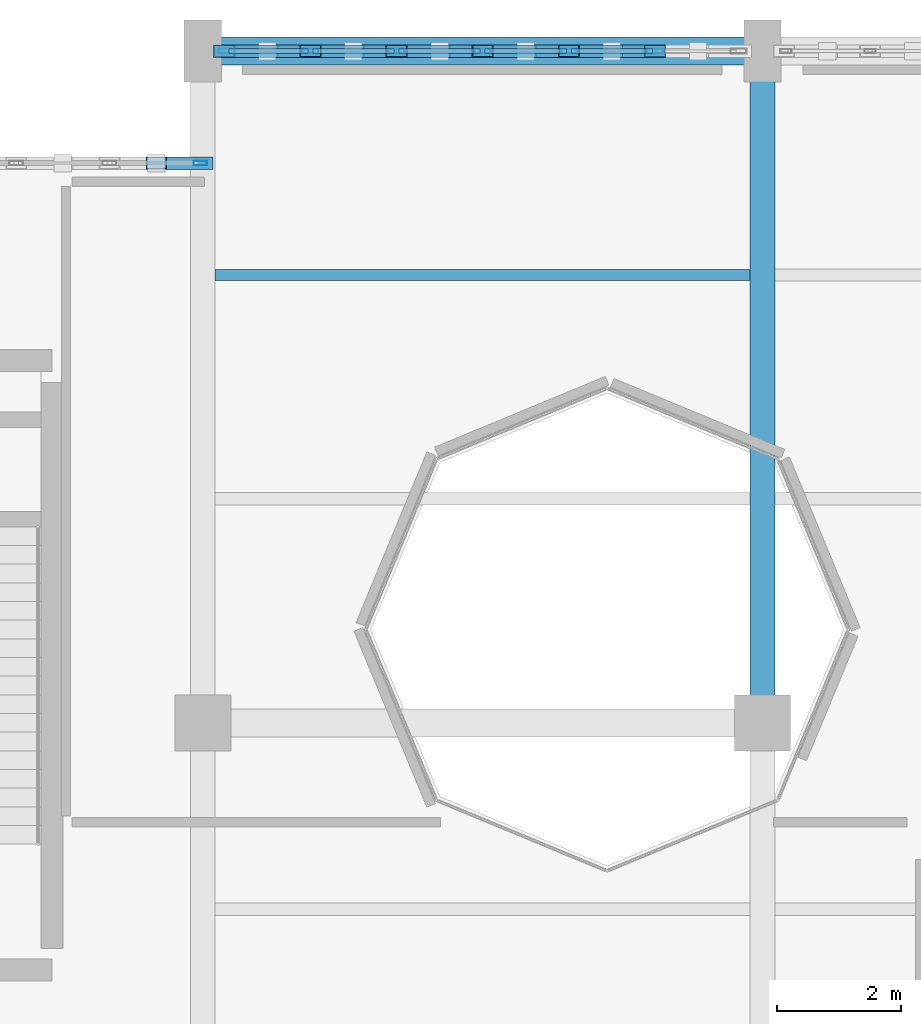
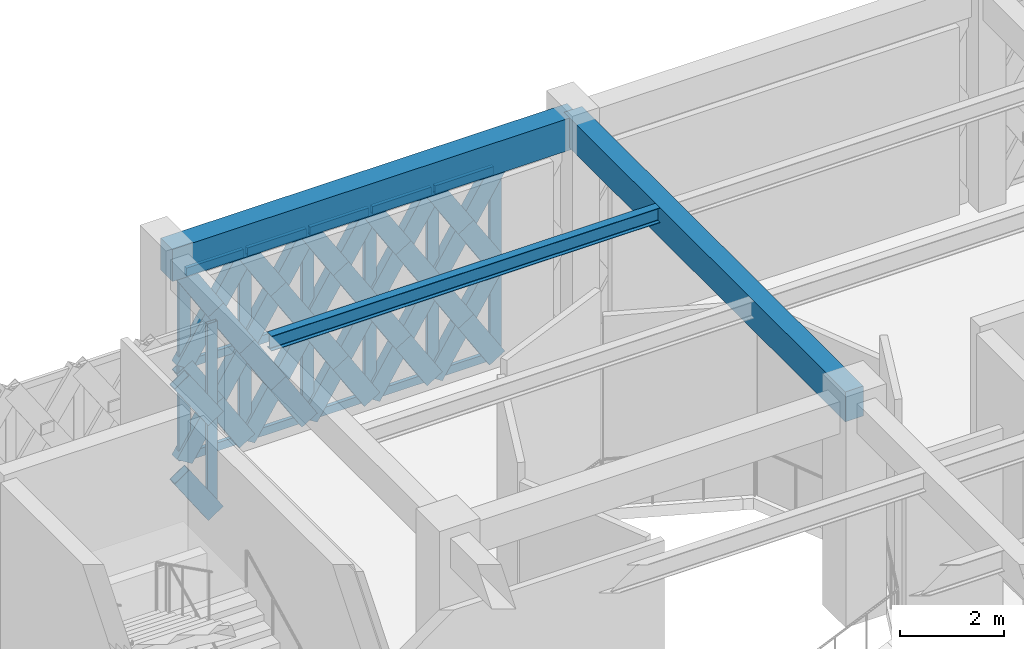
# One storey, part 86 of 155: 54 members, 3 beams, 2 elements without a shape of their own.
"""IFC4 building model written with IfcOpenShell, lengths in metres."""

from ifc_helpers import new_model, si_unit, direction, frame, origin, origin_2d, place, context, subcontext, project, spatial, rectangle, hollow_rectangle, i_section, extrude, material, material_profile, profile_set, type_object, element, aggregate, save


model = new_model("IFC4")

# Units and contexts
model_context = context("Model", 3, precision=1e-05, world=origin(), true_north=direction((0.0, 1.0)))
body_context = subcontext(model_context, "Body", "Model", "MODEL_VIEW")
ifc_project = project(units=[si_unit("LENGTHUNIT", "METRE"), si_unit("AREAUNIT", "SQUARE_METRE"), si_unit("VOLUMEUNIT", "CUBIC_METRE"), si_unit("PLANEANGLEUNIT", "RADIAN"), si_unit("MASSUNIT", "GRAM", prefix="KILO")], contexts=[model_context])

# Site, building, storey
site_placement = place(None, origin())
site = spatial("IfcSite", under=ifc_project, at=site_placement, CompositionType="ELEMENT")
building_placement = place(site_placement, origin())
building = spatial("IfcBuilding", under=site, at=building_placement, Name="Haizhuo Lancet Aquarium", CompositionType="ELEMENT")
storey_placement = place(building_placement, frame((0.0, 0.0, 10.800048828125)))
storey = spatial("IfcBuildingStorey", under=building, at=storey_placement, Name="L02", CompositionType="ELEMENT", Elevation=10.800048828125)

# Beams
ifc_material_1 = material(Name="Concrete C40/50", Category="concrete")
ifc_material_profile_1 = material_profile(ifc_material_1, rectangle(XDim=0.39990234375, YDim=0.699951171875, at=origin_2d()), Name="RC-BM 400x700")
ifc_profile_set_1 = profile_set([ifc_material_profile_1], Name="Concrete C40/50")
beam_type_1 = type_object("IfcBeamType", Name="BM-RC-400x700", PredefinedType="BEAM", material=ifc_profile_set_1)
beam_1_placement = place(storey_placement, frame((-9.0, 45.0, 4.81005859375), z_axis=(0.0, 1.0, 0.0), x_axis=(-1.0, 0.0, 0.0)))
element("IfcBeam", 1, at=beam_1_placement, inside=storey, type_object=beam_type_1, Name="L02 V5 primary girder BM-L02-V5-014", PredefinedType="BEAM", context=body_context, shape_type="SweptSolid", body=[
    extrude(rectangle(XDim=0.39990234375, YDim=0.699951171875, at=origin_2d()), origin(), (0.0, 0.0, 1.0), 10.800048828125),
])
ifc_material_profile_2 = material_profile(ifc_material_1, rectangle(XDim=0.449951171875, YDim=0.75, at=origin_2d()), Name="RC-BM 450x750")
ifc_profile_set_2 = profile_set([ifc_material_profile_2], Name="Concrete C40/50")
beam_type_2 = type_object("IfcBeamType", Name="BM-RC-450x750", PredefinedType="BEAM", material=ifc_profile_set_2)
beam_2_placement = place(storey_placement, frame((-18.0, 55.800048828125, 4.784912109375), z_axis=(1.0, 0.0, 0.0), x_axis=(0.0, 1.0, 0.0)))
element("IfcBeam", 2, at=beam_2_placement, inside=storey, type_object=beam_type_2, Name="L02 V5 primary girder BM-L02-V5-009", PredefinedType="BEAM", context=body_context, shape_type="SweptSolid", body=[
    extrude(rectangle(XDim=0.449951171875, YDim=0.75, at=origin_2d()), origin(), (0.0, 0.0, 1.0), 9.0),
])

# Curtain wall, member
ifc_material_2 = material(Name="Aluminium 6063-T6", Category="aluminium")
curtain_wall_type_1 = type_object("IfcCurtainWallType", Name="CWD-9000x4440", PredefinedType="NOTDEFINED", material=ifc_material_2)
curtain_wall_1_placement = place(storey_placement, origin())
curtain_wall_1 = element("IfcCurtainWall", 3, at=curtain_wall_1_placement, inside=storey, type_object=curtain_wall_type_1, Name="L02 curtain wall CW-V5-L02-146", PredefinedType="NOTDEFINED")
ifc_material_profile_3 = material_profile(ifc_material_2, hollow_rectangle(XDim=0.074951171875, YDim=0.219970703125, WallThickness=0.0048828125, at=origin_2d()), Name="ALU-M 75x220x5")
ifc_profile_set_3 = profile_set([ifc_material_profile_3], Name="Aluminium 6063-T6")
member_type_1 = type_object("IfcMemberType", Name="CW-MUL-2", PredefinedType="MULLION", material=ifc_profile_set_3)
member_1_placement = place(storey_placement, frame((-18.0380859375, 54.0, 0.0), z_axis=(0.0, 0.0, 1.0), x_axis=(0.0, 1.0, 0.0)))
member_1 = element("IfcMember", 4, at=member_1_placement, type_object=member_type_1, Name="CWD-90x44 mullion 7", PredefinedType="MULLION", context=body_context, shape_type="SweptSolid", body=[
    extrude(hollow_rectangle(XDim=0.074951171875, YDim=0.219970703125, WallThickness=0.0048828125, at=origin_2d()), origin(), (0.0, 0.0, 1.0), 4.445068359375),
])
aggregate(curtain_wall_1, [member_1])

# Curtain wall, members
curtain_wall_type_2 = type_object("IfcCurtainWallType", Name="CWD-8310x4410", PredefinedType="NOTDEFINED", material=ifc_material_2)
curtain_wall_2_placement = place(storey_placement, origin())
curtain_wall_2 = element("IfcCurtainWall", 5, at=curtain_wall_2_placement, inside=storey, type_object=curtain_wall_type_2, Name="L02 curtain wall CW-V5-L02-147", PredefinedType="NOTDEFINED")
ifc_material_profile_4 = material_profile(ifc_material_2, hollow_rectangle(XDim=0.080078125, YDim=0.260009765625, WallThickness=0.0048828125, at=origin_2d()), Name="ALU-M 80x260x5")
ifc_profile_set_4 = profile_set([ifc_material_profile_4], Name="Aluminium 6063-T6")
member_type_2 = type_object("IfcMemberType", Name="CW-MUL-3", PredefinedType="MULLION", material=ifc_profile_set_4)
member_2_placement = place(storey_placement, frame((-17.614990234375, 55.800048828125, 0.0), z_axis=(0.0, 0.0, 1.0), x_axis=(0.0, 1.0, 0.0)))
member_2 = element("IfcMember", 6, at=member_2_placement, type_object=member_type_2, Name="CWD-83x44 mullion 1", PredefinedType="MULLION", context=body_context, shape_type="SweptSolid", body=[
    extrude(hollow_rectangle(XDim=0.080078125, YDim=0.260009765625, WallThickness=0.0048828125, at=origin_2d()), origin(), (0.0, 0.0, 1.0), 4.409912109375),
])
member_3_placement = place(storey_placement, frame((-16.27001953125, 55.800048828125, 0.0), z_axis=(0.0, 0.0, 1.0), x_axis=(0.0, 1.0, 0.0)))
member_3 = element("IfcMember", 7, at=member_3_placement, type_object=member_type_2, Name="CWD-83x44 mullion 2", PredefinedType="MULLION", context=body_context, shape_type="SweptSolid", body=[
    extrude(hollow_rectangle(XDim=0.080078125, YDim=0.260009765625, WallThickness=0.0048828125, at=origin_2d()), origin(), (0.0, 0.0, 1.0), 4.409912109375),
])
member_4_placement = place(storey_placement, frame((-14.885009765625, 55.800048828125, 0.0), z_axis=(0.0, 0.0, 1.0), x_axis=(0.0, 1.0, 0.0)))
member_4 = element("IfcMember", 8, at=member_4_placement, type_object=member_type_2, Name="CWD-83x44 mullion 3", PredefinedType="MULLION", context=body_context, shape_type="SweptSolid", body=[
    extrude(hollow_rectangle(XDim=0.080078125, YDim=0.260009765625, WallThickness=0.0048828125, at=origin_2d()), origin(), (0.0, 0.0, 1.0), 4.409912109375),
])
member_5_placement = place(storey_placement, frame((-13.5, 55.800048828125, 0.0), z_axis=(0.0, 0.0, 1.0), x_axis=(0.0, 1.0, 0.0)))
member_5 = element("IfcMember", 9, at=member_5_placement, type_object=member_type_2, Name="CWD-83x44 mullion 4", PredefinedType="MULLION", context=body_context, shape_type="SweptSolid", body=[
    extrude(hollow_rectangle(XDim=0.080078125, YDim=0.260009765625, WallThickness=0.0048828125, at=origin_2d()), origin(), (0.0, 0.0, 1.0), 4.409912109375),
])
member_6_placement = place(storey_placement, frame((-12.114990234375, 55.800048828125, 0.0), z_axis=(0.0, 0.0, 1.0), x_axis=(0.0, 1.0, 0.0)))
member_6 = element("IfcMember", 10, at=member_6_placement, type_object=member_type_2, Name="CWD-83x44 mullion 5", PredefinedType="MULLION", context=body_context, shape_type="SweptSolid", body=[
    extrude(hollow_rectangle(XDim=0.080078125, YDim=0.260009765625, WallThickness=0.0048828125, at=origin_2d()), origin(), (0.0, 0.0, 1.0), 4.409912109375),
])
member_7_placement = place(storey_placement, frame((-10.72998046875, 55.800048828125, 0.0), z_axis=(0.0, 0.0, 1.0), x_axis=(0.0, 1.0, 0.0)))
member_7 = element("IfcMember", 11, at=member_7_placement, type_object=member_type_2, Name="CWD-83x44 mullion 6", PredefinedType="MULLION", context=body_context, shape_type="SweptSolid", body=[
    extrude(hollow_rectangle(XDim=0.080078125, YDim=0.260009765625, WallThickness=0.0048828125, at=origin_2d()), origin(), (0.0, 0.0, 1.0), 4.409912109375),
])
ifc_material_profile_5 = material_profile(ifc_material_2, hollow_rectangle(XDim=0.080078125, YDim=0.18994140625, WallThickness=0.0048828125, at=origin_2d()), Name="ALU-T 80x190x5")
ifc_profile_set_5 = profile_set([ifc_material_profile_5], Name="Aluminium 6063-T6")
member_type_3 = type_object("IfcMemberType", Name="CW-TRN-3", PredefinedType="NOTDEFINED", material=ifc_profile_set_5)
member_8_placement = place(storey_placement, frame((-17.574951171875, 55.800048828125, 0.0400390625), z_axis=(1.0, 0.0, 0.0), x_axis=(0.0, 1.0, 0.0)))
member_8 = element("IfcMember", 12, at=member_8_placement, type_object=member_type_3, Name="CWD-83x44 transom 1.1", ObjectType="TRANSOM", PredefinedType="USERDEFINED", context=body_context, shape_type="SweptSolid", body=[
    extrude(hollow_rectangle(XDim=0.080078125, YDim=0.18994140625, WallThickness=0.0048828125, at=origin_2d()), origin(), (0.0, 0.0, 1.0), 1.264892578125),
])
member_9_placement = place(storey_placement, frame((-17.574951171875, 55.800048828125, 2.204833984375), z_axis=(1.0, 0.0, 0.0), x_axis=(0.0, 1.0, 0.0)))
member_9 = element("IfcMember", 13, at=member_9_placement, type_object=member_type_3, Name="CWD-83x44 transom 1.2", ObjectType="TRANSOM", PredefinedType="USERDEFINED", context=body_context, shape_type="SweptSolid", body=[
    extrude(hollow_rectangle(XDim=0.080078125, YDim=0.18994140625, WallThickness=0.0048828125, at=origin_2d()), origin(), (0.0, 0.0, 1.0), 1.264892578125),
])
member_10_placement = place(storey_placement, frame((-17.574951171875, 55.800048828125, 4.369873046875), z_axis=(1.0, 0.0, 0.0), x_axis=(0.0, 1.0, 0.0)))
member_10 = element("IfcMember", 14, at=member_10_placement, type_object=member_type_3, Name="CWD-83x44 transom 1.3", ObjectType="TRANSOM", PredefinedType="USERDEFINED", context=body_context, shape_type="SweptSolid", body=[
    extrude(hollow_rectangle(XDim=0.080078125, YDim=0.18994140625, WallThickness=0.0048828125, at=origin_2d()), origin(), (0.0, 0.0, 1.0), 1.264892578125),
])
member_11_placement = place(storey_placement, frame((-16.22998046875, 55.800048828125, 0.0400390625), z_axis=(1.0, 0.0, 0.0), x_axis=(0.0, 1.0, 0.0)))
member_11 = element("IfcMember", 15, at=member_11_placement, type_object=member_type_3, Name="CWD-83x44 transom 2.1", ObjectType="TRANSOM", PredefinedType="USERDEFINED", context=body_context, shape_type="SweptSolid", body=[
    extrude(hollow_rectangle(XDim=0.080078125, YDim=0.18994140625, WallThickness=0.0048828125, at=origin_2d()), origin(), (0.0, 0.0, 1.0), 1.304931640625),
])
member_12_placement = place(storey_placement, frame((-16.22998046875, 55.800048828125, 2.204833984375), z_axis=(1.0, 0.0, 0.0), x_axis=(0.0, 1.0, 0.0)))
member_12 = element("IfcMember", 16, at=member_12_placement, type_object=member_type_3, Name="CWD-83x44 transom 2.2", ObjectType="TRANSOM", PredefinedType="USERDEFINED", context=body_context, shape_type="SweptSolid", body=[
    extrude(hollow_rectangle(XDim=0.080078125, YDim=0.18994140625, WallThickness=0.0048828125, at=origin_2d()), origin(), (0.0, 0.0, 1.0), 1.304931640625),
])
member_13_placement = place(storey_placement, frame((-16.22998046875, 55.800048828125, 4.369873046875), z_axis=(1.0, 0.0, 0.0), x_axis=(0.0, 1.0, 0.0)))
member_13 = element("IfcMember", 17, at=member_13_placement, type_object=member_type_3, Name="CWD-83x44 transom 2.3", ObjectType="TRANSOM", PredefinedType="USERDEFINED", context=body_context, shape_type="SweptSolid", body=[
    extrude(hollow_rectangle(XDim=0.080078125, YDim=0.18994140625, WallThickness=0.0048828125, at=origin_2d()), origin(), (0.0, 0.0, 1.0), 1.304931640625),
])
member_14_placement = place(storey_placement, frame((-14.844970703125, 55.800048828125, 0.0400390625), z_axis=(1.0, 0.0, 0.0), x_axis=(0.0, 1.0, 0.0)))
member_14 = element("IfcMember", 18, at=member_14_placement, type_object=member_type_3, Name="CWD-83x44 transom 3.1", ObjectType="TRANSOM", PredefinedType="USERDEFINED", context=body_context, shape_type="SweptSolid", body=[
    extrude(hollow_rectangle(XDim=0.080078125, YDim=0.18994140625, WallThickness=0.0048828125, at=origin_2d()), origin(), (0.0, 0.0, 1.0), 1.304931640625),
])
member_15_placement = place(storey_placement, frame((-14.844970703125, 55.800048828125, 2.204833984375), z_axis=(1.0, 0.0, 0.0), x_axis=(0.0, 1.0, 0.0)))
member_15 = element("IfcMember", 19, at=member_15_placement, type_object=member_type_3, Name="CWD-83x44 transom 3.2", ObjectType="TRANSOM", PredefinedType="USERDEFINED", context=body_context, shape_type="SweptSolid", body=[
    extrude(hollow_rectangle(XDim=0.080078125, YDim=0.18994140625, WallThickness=0.0048828125, at=origin_2d()), origin(), (0.0, 0.0, 1.0), 1.304931640625),
])
member_16_placement = place(storey_placement, frame((-14.844970703125, 55.800048828125, 4.369873046875), z_axis=(1.0, 0.0, 0.0), x_axis=(0.0, 1.0, 0.0)))
member_16 = element("IfcMember", 20, at=member_16_placement, type_object=member_type_3, Name="CWD-83x44 transom 3.3", ObjectType="TRANSOM", PredefinedType="USERDEFINED", context=body_context, shape_type="SweptSolid", body=[
    extrude(hollow_rectangle(XDim=0.080078125, YDim=0.18994140625, WallThickness=0.0048828125, at=origin_2d()), origin(), (0.0, 0.0, 1.0), 1.304931640625),
])
member_17_placement = place(storey_placement, frame((-13.4599609375, 55.800048828125, 0.0400390625), z_axis=(1.0, 0.0, 0.0), x_axis=(0.0, 1.0, 0.0)))
member_17 = element("IfcMember", 21, at=member_17_placement, type_object=member_type_3, Name="CWD-83x44 transom 4.1", ObjectType="TRANSOM", PredefinedType="USERDEFINED", context=body_context, shape_type="SweptSolid", body=[
    extrude(hollow_rectangle(XDim=0.080078125, YDim=0.18994140625, WallThickness=0.0048828125, at=origin_2d()), origin(), (0.0, 0.0, 1.0), 1.304931640625),
])
member_18_placement = place(storey_placement, frame((-13.4599609375, 55.800048828125, 2.204833984375), z_axis=(1.0, 0.0, 0.0), x_axis=(0.0, 1.0, 0.0)))
member_18 = element("IfcMember", 22, at=member_18_placement, type_object=member_type_3, Name="CWD-83x44 transom 4.2", ObjectType="TRANSOM", PredefinedType="USERDEFINED", context=body_context, shape_type="SweptSolid", body=[
    extrude(hollow_rectangle(XDim=0.080078125, YDim=0.18994140625, WallThickness=0.0048828125, at=origin_2d()), origin(), (0.0, 0.0, 1.0), 1.304931640625),
])
member_19_placement = place(storey_placement, frame((-13.4599609375, 55.800048828125, 4.369873046875), z_axis=(1.0, 0.0, 0.0), x_axis=(0.0, 1.0, 0.0)))
member_19 = element("IfcMember", 23, at=member_19_placement, type_object=member_type_3, Name="CWD-83x44 transom 4.3", ObjectType="TRANSOM", PredefinedType="USERDEFINED", context=body_context, shape_type="SweptSolid", body=[
    extrude(hollow_rectangle(XDim=0.080078125, YDim=0.18994140625, WallThickness=0.0048828125, at=origin_2d()), origin(), (0.0, 0.0, 1.0), 1.304931640625),
])
member_20_placement = place(storey_placement, frame((-12.074951171875, 55.800048828125, 0.0400390625), z_axis=(1.0, 0.0, 0.0), x_axis=(0.0, 1.0, 0.0)))
member_20 = element("IfcMember", 24, at=member_20_placement, type_object=member_type_3, Name="CWD-83x44 transom 5.1", ObjectType="TRANSOM", PredefinedType="USERDEFINED", context=body_context, shape_type="SweptSolid", body=[
    extrude(hollow_rectangle(XDim=0.080078125, YDim=0.18994140625, WallThickness=0.0048828125, at=origin_2d()), origin(), (0.0, 0.0, 1.0), 1.304931640625),
])
member_21_placement = place(storey_placement, frame((-12.074951171875, 55.800048828125, 2.204833984375), z_axis=(1.0, 0.0, 0.0), x_axis=(0.0, 1.0, 0.0)))
member_21 = element("IfcMember", 25, at=member_21_placement, type_object=member_type_3, Name="CWD-83x44 transom 5.2", ObjectType="TRANSOM", PredefinedType="USERDEFINED", context=body_context, shape_type="SweptSolid", body=[
    extrude(hollow_rectangle(XDim=0.080078125, YDim=0.18994140625, WallThickness=0.0048828125, at=origin_2d()), origin(), (0.0, 0.0, 1.0), 1.304931640625),
])
member_22_placement = place(storey_placement, frame((-12.074951171875, 55.800048828125, 4.369873046875), z_axis=(1.0, 0.0, 0.0), x_axis=(0.0, 1.0, 0.0)))
member_22 = element("IfcMember", 26, at=member_22_placement, type_object=member_type_3, Name="CWD-83x44 transom 5.3", ObjectType="TRANSOM", PredefinedType="USERDEFINED", context=body_context, shape_type="SweptSolid", body=[
    extrude(hollow_rectangle(XDim=0.080078125, YDim=0.18994140625, WallThickness=0.0048828125, at=origin_2d()), origin(), (0.0, 0.0, 1.0), 1.304931640625),
])
aggregate(curtain_wall_2, [member_2, member_3, member_4, member_5, member_6, member_7, member_8, member_9, member_10, member_11, member_12, member_13, member_14, member_15, member_16, member_17, member_18, member_19, member_20, member_21, member_22])

# Beam
ifc_material_3 = material(Name="Steel S355", Category="steel")
ifc_material_profile_6 = material_profile(ifc_material_3, i_section(OverallWidth=0.175048828125, OverallDepth=0.35009765625, WebThickness=0.007080078125, FlangeThickness=0.010986328125, FilletRadius=0.013916015625, at=origin_2d()), Name="HN 350x175x7x11")
ifc_profile_set_6 = profile_set([ifc_material_profile_6], Name="Steel S355")
beam_type_3 = type_object("IfcBeamType", Name="JST-ST-HN350", PredefinedType="JOIST", material=ifc_profile_set_6)
beam_3_placement = place(storey_placement, frame((-17.800048828125, 52.199951171875, 4.98486328125), z_axis=(1.0, 0.0, 0.0), x_axis=(0.0, 1.0, 0.0)))
element("IfcBeam", 27, at=beam_3_placement, inside=storey, type_object=beam_type_3, Name="L02 V5 secondary floor joist 5", PredefinedType="JOIST", context=body_context, shape_type="SweptSolid", body=[
    extrude(i_section(OverallWidth=0.175048828125, OverallDepth=0.35009765625, WebThickness=0.007080078125, FlangeThickness=0.010986328125, FilletRadius=0.013916015625, at=origin_2d()), origin(), (0.0, 0.0, 1.0), 8.60009765625),
])

# Members
ifc_material_profile_7 = material_profile(ifc_material_3, hollow_rectangle(XDim=0.199951171875, YDim=0.39990234375, WallThickness=0.011962890625, at=origin_2d()), Name="RHS 200x400x12")
ifc_profile_set_7 = profile_set([ifc_material_profile_7], Name="Steel S355")
member_type_4 = type_object("IfcMemberType", Name="MEM-LB-RHS200x400", PredefinedType="BRACE", material=ifc_profile_set_7)
member_23_placement = place(storey_placement, frame((-18.0, 54.0, 0.0), z_axis=(-0.559144577779, 0.0, 0.829070166596), x_axis=(0.0, -1.0, 0.0)))
element("IfcMember", 28, at=member_23_placement, inside=storey, type_object=member_type_4, Name="Gothic lancet split diagonal brace CW-V5-L02-146 11B1", PredefinedType="BRACE", context=body_context, shape_type="SweptSolid", body=[
    extrude(hollow_rectangle(XDim=0.199951171875, YDim=0.39990234375, WallThickness=0.011962890625, at=origin_2d()), origin(), (0.0, 0.0, 1.0), 1.34130859375),
])
member_24_placement = place(storey_placement, frame((-18.0, 54.0, 2.222900390625), z_axis=(-0.559482238724, 0.0, 0.828842339985), x_axis=(0.0, -1.0, 0.0)))
element("IfcMember", 29, at=member_24_placement, inside=storey, type_object=member_type_4, Name="Gothic lancet split diagonal brace CW-V5-L02-146 12B1", PredefinedType="BRACE", context=body_context, shape_type="SweptSolid", body=[
    extrude(hollow_rectangle(XDim=0.199951171875, YDim=0.39990234375, WallThickness=0.011962890625, at=origin_2d()), origin(), (0.0, 0.0, 1.0), 1.340576171875),
])
member_25_placement = place(storey_placement, frame((-17.655029296875, 55.800048828125, 0.0), z_axis=(0.531927646905, 0.0, 0.84678980772), x_axis=(0.0, 1.0, 0.0)))
element("IfcMember", 30, at=member_25_placement, inside=storey, type_object=member_type_4, Name="Gothic lancet continuous diagonal brace CW-V5-L02-147 1A", PredefinedType="BRACE", context=body_context, shape_type="SweptSolid", body=[
    extrude(hollow_rectangle(XDim=0.199951171875, YDim=0.39990234375, WallThickness=0.011962890625, at=origin_2d()), origin(), (0.0, 0.0, 1.0), 2.603759765625),
])
member_26_placement = place(storey_placement, frame((-16.27001953125, 55.800048828125, 0.0), z_axis=(-0.531718060511, 0.0, 0.846921427363), x_axis=(0.0, -1.0, 0.0)))
element("IfcMember", 31, at=member_26_placement, inside=storey, type_object=member_type_4, Name="Gothic lancet split diagonal brace CW-V5-L02-147 1B1", PredefinedType="BRACE", context=body_context, shape_type="SweptSolid", body=[
    extrude(hollow_rectangle(XDim=0.199951171875, YDim=0.39990234375, WallThickness=0.011962890625, at=origin_2d()), origin(), (0.0, 0.0, 1.0), 1.30126953125),
])
member_27_placement = place(storey_placement, frame((-16.9619140625, 55.800048828125, 1.10205078125), z_axis=(-0.532136996486, 0.0, 0.846658264574), x_axis=(0.0, -1.0, 0.0)))
element("IfcMember", 32, at=member_27_placement, inside=storey, type_object=member_type_4, Name="Gothic lancet split diagonal brace CW-V5-L02-147 1B2", PredefinedType="BRACE", context=body_context, shape_type="SweptSolid", body=[
    extrude(hollow_rectangle(XDim=0.199951171875, YDim=0.39990234375, WallThickness=0.011962890625, at=origin_2d()), origin(), (0.0, 0.0, 1.0), 1.302490234375),
])
member_28_placement = place(storey_placement, frame((-17.655029296875, 55.800048828125, 2.204833984375), z_axis=(0.531885415037, 0.0, 0.846816335028), x_axis=(0.0, 1.0, 0.0)))
element("IfcMember", 33, at=member_28_placement, inside=storey, type_object=member_type_4, Name="Gothic lancet continuous diagonal brace CW-V5-L02-147 2A", PredefinedType="BRACE", context=body_context, shape_type="SweptSolid", body=[
    extrude(hollow_rectangle(XDim=0.199951171875, YDim=0.39990234375, WallThickness=0.011962890625, at=origin_2d()), origin(), (0.0, 0.0, 1.0), 2.60400390625),
])
for number, where, z_axis, x_axis, name in (
    (34, (-16.27001953125, 55.800048828125, 2.204833984375), (-0.531380272315, 0.0, 0.847133405193), (0.0, -1.0, 0.0), "Gothic lancet split diagonal brace CW-V5-L02-147 2B1"),
    (35, (-16.9619140625, 55.800048828125, 3.307861328125), (-0.532390437474, 0.0, 0.84649892031), (0.0, -1.0, 0.0), "Gothic lancet split diagonal brace CW-V5-L02-147 2B2"),
):
    element("IfcMember", number, at=place(storey_placement, frame(where, z_axis=z_axis, x_axis=x_axis)), inside=storey, type_object=member_type_4, Name=name, PredefinedType="BRACE", context=body_context, shape_type="SweptSolid", body=[
        extrude(hollow_rectangle(XDim=0.199951171875, YDim=0.39990234375, WallThickness=0.011962890625, at=origin_2d()), origin(), (0.0, 0.0, 1.0), 1.302001953125),
    ])
member_29_placement = place(storey_placement, frame((-16.27001953125, 55.800048828125, 0.0), z_axis=(0.531927646905, 0.0, 0.84678980772), x_axis=(0.0, 1.0, 0.0)))
element("IfcMember", 36, at=member_29_placement, inside=storey, type_object=member_type_4, Name="Gothic lancet continuous diagonal brace CW-V5-L02-147 3A", PredefinedType="BRACE", context=body_context, shape_type="SweptSolid", body=[
    extrude(hollow_rectangle(XDim=0.199951171875, YDim=0.39990234375, WallThickness=0.011962890625, at=origin_2d()), origin(), (0.0, 0.0, 1.0), 2.603759765625),
])
member_30_placement = place(storey_placement, frame((-14.885009765625, 55.800048828125, 0.0), z_axis=(-0.532256042599, 0.0, 0.846583430689), x_axis=(0.0, -1.0, 0.0)))
element("IfcMember", 37, at=member_30_placement, inside=storey, type_object=member_type_4, Name="Gothic lancet split diagonal brace CW-V5-L02-147 3B1", PredefinedType="BRACE", context=body_context, shape_type="SweptSolid", body=[
    extrude(hollow_rectangle(XDim=0.199951171875, YDim=0.39990234375, WallThickness=0.011962890625, at=origin_2d()), origin(), (0.0, 0.0, 1.0), 1.3017578125),
])
member_31_placement = place(storey_placement, frame((-15.577880859375, 55.800048828125, 1.10205078125), z_axis=(-0.531599229377, 0.0, 0.846996020844), x_axis=(0.0, -1.0, 0.0)))
element("IfcMember", 38, at=member_31_placement, inside=storey, type_object=member_type_4, Name="Gothic lancet split diagonal brace CW-V5-L02-147 3B2", PredefinedType="BRACE", context=body_context, shape_type="SweptSolid", body=[
    extrude(hollow_rectangle(XDim=0.199951171875, YDim=0.39990234375, WallThickness=0.011962890625, at=origin_2d()), origin(), (0.0, 0.0, 1.0), 1.302001953125),
])
member_32_placement = place(storey_placement, frame((-16.27001953125, 55.800048828125, 2.204833984375), z_axis=(0.531885415037, 0.0, 0.846816335028), x_axis=(0.0, 1.0, 0.0)))
element("IfcMember", 39, at=member_32_placement, inside=storey, type_object=member_type_4, Name="Gothic lancet continuous diagonal brace CW-V5-L02-147 4A", PredefinedType="BRACE", context=body_context, shape_type="SweptSolid", body=[
    extrude(hollow_rectangle(XDim=0.199951171875, YDim=0.39990234375, WallThickness=0.011962890625, at=origin_2d()), origin(), (0.0, 0.0, 1.0), 2.60400390625),
])
member_33_placement = place(storey_placement, frame((-14.885009765625, 55.800048828125, 2.204833984375), z_axis=(-0.531918182213, 0.0, 0.846795753078), x_axis=(0.0, -1.0, 0.0)))
element("IfcMember", 40, at=member_33_placement, inside=storey, type_object=member_type_4, Name="Gothic lancet split diagonal brace CW-V5-L02-147 4B1", PredefinedType="BRACE", context=body_context, shape_type="SweptSolid", body=[
    extrude(hollow_rectangle(XDim=0.199951171875, YDim=0.39990234375, WallThickness=0.011962890625, at=origin_2d()), origin(), (0.0, 0.0, 1.0), 1.302490234375),
])
member_34_placement = place(storey_placement, frame((-15.577880859375, 55.800048828125, 3.307861328125), z_axis=(-0.531852616433, 0.0, 0.846836934949), x_axis=(0.0, -1.0, 0.0)))
element("IfcMember", 41, at=member_34_placement, inside=storey, type_object=member_type_4, Name="Gothic lancet split diagonal brace CW-V5-L02-147 4B2", PredefinedType="BRACE", context=body_context, shape_type="SweptSolid", body=[
    extrude(hollow_rectangle(XDim=0.199951171875, YDim=0.39990234375, WallThickness=0.011962890625, at=origin_2d()), origin(), (0.0, 0.0, 1.0), 1.30126953125),
])
member_35_placement = place(storey_placement, frame((-14.885009765625, 55.800048828125, 0.0), z_axis=(0.531927646905, 0.0, 0.84678980772), x_axis=(0.0, 1.0, 0.0)))
element("IfcMember", 42, at=member_35_placement, inside=storey, type_object=member_type_4, Name="Gothic lancet continuous diagonal brace CW-V5-L02-147 5A", PredefinedType="BRACE", context=body_context, shape_type="SweptSolid", body=[
    extrude(hollow_rectangle(XDim=0.199951171875, YDim=0.39990234375, WallThickness=0.011962890625, at=origin_2d()), origin(), (0.0, 0.0, 1.0), 2.603759765625),
])
member_36_placement = place(storey_placement, frame((-13.5, 55.800048828125, 0.0), z_axis=(-0.531718060511, 0.0, 0.846921427363), x_axis=(0.0, -1.0, 0.0)))
element("IfcMember", 43, at=member_36_placement, inside=storey, type_object=member_type_4, Name="Gothic lancet split diagonal brace CW-V5-L02-147 5B1", PredefinedType="BRACE", context=body_context, shape_type="SweptSolid", body=[
    extrude(hollow_rectangle(XDim=0.199951171875, YDim=0.39990234375, WallThickness=0.011962890625, at=origin_2d()), origin(), (0.0, 0.0, 1.0), 1.30126953125),
])
member_37_placement = place(storey_placement, frame((-14.19189453125, 55.800048828125, 1.10205078125), z_axis=(-0.532136996486, 0.0, 0.846658264574), x_axis=(0.0, -1.0, 0.0)))
element("IfcMember", 44, at=member_37_placement, inside=storey, type_object=member_type_4, Name="Gothic lancet split diagonal brace CW-V5-L02-147 5B2", PredefinedType="BRACE", context=body_context, shape_type="SweptSolid", body=[
    extrude(hollow_rectangle(XDim=0.199951171875, YDim=0.39990234375, WallThickness=0.011962890625, at=origin_2d()), origin(), (0.0, 0.0, 1.0), 1.302490234375),
])
member_38_placement = place(storey_placement, frame((-14.885009765625, 55.800048828125, 2.204833984375), z_axis=(0.531885415037, 0.0, 0.846816335028), x_axis=(0.0, 1.0, 0.0)))
element("IfcMember", 45, at=member_38_placement, inside=storey, type_object=member_type_4, Name="Gothic lancet continuous diagonal brace CW-V5-L02-147 6A", PredefinedType="BRACE", context=body_context, shape_type="SweptSolid", body=[
    extrude(hollow_rectangle(XDim=0.199951171875, YDim=0.39990234375, WallThickness=0.011962890625, at=origin_2d()), origin(), (0.0, 0.0, 1.0), 2.60400390625),
])
for number, where, z_axis, x_axis, name in (
    (46, (-13.5, 55.800048828125, 2.204833984375), (-0.531380272315, 0.0, 0.847133405193), (0.0, -1.0, 0.0), "Gothic lancet split diagonal brace CW-V5-L02-147 6B1"),
    (47, (-14.19189453125, 55.800048828125, 3.307861328125), (-0.532390437474, 0.0, 0.84649892031), (0.0, -1.0, 0.0), "Gothic lancet split diagonal brace CW-V5-L02-147 6B2"),
):
    element("IfcMember", number, at=place(storey_placement, frame(where, z_axis=z_axis, x_axis=x_axis)), inside=storey, type_object=member_type_4, Name=name, PredefinedType="BRACE", context=body_context, shape_type="SweptSolid", body=[
        extrude(hollow_rectangle(XDim=0.199951171875, YDim=0.39990234375, WallThickness=0.011962890625, at=origin_2d()), origin(), (0.0, 0.0, 1.0), 1.302001953125),
    ])
member_39_placement = place(storey_placement, frame((-13.5, 55.800048828125, 0.0), z_axis=(0.531927646905, 0.0, 0.84678980772), x_axis=(0.0, 1.0, 0.0)))
element("IfcMember", 48, at=member_39_placement, inside=storey, type_object=member_type_4, Name="Gothic lancet continuous diagonal brace CW-V5-L02-147 7A", PredefinedType="BRACE", context=body_context, shape_type="SweptSolid", body=[
    extrude(hollow_rectangle(XDim=0.199951171875, YDim=0.39990234375, WallThickness=0.011962890625, at=origin_2d()), origin(), (0.0, 0.0, 1.0), 2.603759765625),
])
member_40_placement = place(storey_placement, frame((-12.114990234375, 55.800048828125, 0.0), z_axis=(-0.532390437474, 0.0, 0.84649892031), x_axis=(0.0, -1.0, 0.0)))
element("IfcMember", 49, at=member_40_placement, inside=storey, type_object=member_type_4, Name="Gothic lancet split diagonal brace CW-V5-L02-147 7B1", PredefinedType="BRACE", context=body_context, shape_type="SweptSolid", body=[
    extrude(hollow_rectangle(XDim=0.199951171875, YDim=0.39990234375, WallThickness=0.011962890625, at=origin_2d()), origin(), (0.0, 0.0, 1.0), 1.302001953125),
])
member_41_placement = place(storey_placement, frame((-12.80810546875, 55.800048828125, 1.10205078125), z_axis=(-0.531464687043, 0.0, 0.847080448615), x_axis=(0.0, -1.0, 0.0)))
element("IfcMember", 50, at=member_41_placement, inside=storey, type_object=member_type_4, Name="Gothic lancet split diagonal brace CW-V5-L02-147 7B2", PredefinedType="BRACE", context=body_context, shape_type="SweptSolid", body=[
    extrude(hollow_rectangle(XDim=0.199951171875, YDim=0.39990234375, WallThickness=0.011962890625, at=origin_2d()), origin(), (0.0, 0.0, 1.0), 1.3017578125),
])
member_42_placement = place(storey_placement, frame((-13.5, 55.800048828125, 2.204833984375), z_axis=(0.531885415037, 0.0, 0.846816335028), x_axis=(0.0, 1.0, 0.0)))
element("IfcMember", 51, at=member_42_placement, inside=storey, type_object=member_type_4, Name="Gothic lancet continuous diagonal brace CW-V5-L02-147 8A", PredefinedType="BRACE", context=body_context, shape_type="SweptSolid", body=[
    extrude(hollow_rectangle(XDim=0.199951171875, YDim=0.39990234375, WallThickness=0.011962890625, at=origin_2d()), origin(), (0.0, 0.0, 1.0), 2.60400390625),
])
member_43_placement = place(storey_placement, frame((-12.114990234375, 55.800048828125, 2.204833984375), z_axis=(-0.532052559181, 0.0, 0.846711328771), x_axis=(0.0, -1.0, 0.0)))
element("IfcMember", 52, at=member_43_placement, inside=storey, type_object=member_type_4, Name="Gothic lancet split diagonal brace CW-V5-L02-147 8B1", PredefinedType="BRACE", context=body_context, shape_type="SweptSolid", body=[
    extrude(hollow_rectangle(XDim=0.199951171875, YDim=0.39990234375, WallThickness=0.011962890625, at=origin_2d()), origin(), (0.0, 0.0, 1.0), 1.302734375),
])
member_44_placement = place(storey_placement, frame((-12.80810546875, 55.800048828125, 3.307861328125), z_axis=(-0.531718060511, 0.0, 0.846921427363), x_axis=(0.0, -1.0, 0.0)))
element("IfcMember", 53, at=member_44_placement, inside=storey, type_object=member_type_4, Name="Gothic lancet split diagonal brace CW-V5-L02-147 8B2", PredefinedType="BRACE", context=body_context, shape_type="SweptSolid", body=[
    extrude(hollow_rectangle(XDim=0.199951171875, YDim=0.39990234375, WallThickness=0.011962890625, at=origin_2d()), origin(), (0.0, 0.0, 1.0), 1.30126953125),
])
member_45_placement = place(storey_placement, frame((-12.114990234375, 55.800048828125, 0.0), z_axis=(0.531927646905, 0.0, 0.84678980772), x_axis=(0.0, 1.0, 0.0)))
element("IfcMember", 54, at=member_45_placement, inside=storey, type_object=member_type_4, Name="Gothic lancet continuous diagonal brace CW-V5-L02-147 9A", PredefinedType="BRACE", context=body_context, shape_type="SweptSolid", body=[
    extrude(hollow_rectangle(XDim=0.199951171875, YDim=0.39990234375, WallThickness=0.011962890625, at=origin_2d()), origin(), (0.0, 0.0, 1.0), 2.603759765625),
])
member_46_placement = place(storey_placement, frame((-10.72998046875, 55.800048828125, 0.0), z_axis=(-0.531852616433, 0.0, 0.846836934949), x_axis=(0.0, -1.0, 0.0)))
element("IfcMember", 55, at=member_46_placement, inside=storey, type_object=member_type_4, Name="Gothic lancet split diagonal brace CW-V5-L02-147 9B1", PredefinedType="BRACE", context=body_context, shape_type="SweptSolid", body=[
    extrude(hollow_rectangle(XDim=0.199951171875, YDim=0.39990234375, WallThickness=0.011962890625, at=origin_2d()), origin(), (0.0, 0.0, 1.0), 1.30126953125),
])
member_47_placement = place(storey_placement, frame((-11.422119140625, 55.800048828125, 1.10205078125), z_axis=(-0.53200261503, 0.0, 0.846742710391), x_axis=(0.0, -1.0, 0.0)))
element("IfcMember", 56, at=member_47_placement, inside=storey, type_object=member_type_4, Name="Gothic lancet split diagonal brace CW-V5-L02-147 9B2", PredefinedType="BRACE", context=body_context, shape_type="SweptSolid", body=[
    extrude(hollow_rectangle(XDim=0.199951171875, YDim=0.39990234375, WallThickness=0.011962890625, at=origin_2d()), origin(), (0.0, 0.0, 1.0), 1.302490234375),
])
member_48_placement = place(storey_placement, frame((-12.114990234375, 55.800048828125, 2.204833984375), z_axis=(0.531885415037, 0.0, 0.846816335028), x_axis=(0.0, 1.0, 0.0)))
element("IfcMember", 57, at=member_48_placement, inside=storey, type_object=member_type_4, Name="Gothic lancet continuous diagonal brace CW-V5-L02-147 10A", PredefinedType="BRACE", context=body_context, shape_type="SweptSolid", body=[
    extrude(hollow_rectangle(XDim=0.199951171875, YDim=0.39990234375, WallThickness=0.011962890625, at=origin_2d()), origin(), (0.0, 0.0, 1.0), 2.60400390625),
])
member_49_placement = place(storey_placement, frame((-10.72998046875, 55.800048828125, 2.204833984375), z_axis=(-0.531514810105, 0.0, 0.84704899896), x_axis=(0.0, -1.0, 0.0)))
element("IfcMember", 58, at=member_49_placement, inside=storey, type_object=member_type_4, Name="Gothic lancet split diagonal brace CW-V5-L02-147 10B1", PredefinedType="BRACE", context=body_context, shape_type="SweptSolid", body=[
    extrude(hollow_rectangle(XDim=0.199951171875, YDim=0.39990234375, WallThickness=0.011962890625, at=origin_2d()), origin(), (0.0, 0.0, 1.0), 1.30224609375),
])
member_50_placement = place(storey_placement, frame((-11.422119140625, 55.800048828125, 3.307861328125), z_axis=(-0.532256042599, 0.0, 0.846583430689), x_axis=(0.0, -1.0, 0.0)))
element("IfcMember", 59, at=member_50_placement, inside=storey, type_object=member_type_4, Name="Gothic lancet split diagonal brace CW-V5-L02-147 10B2", PredefinedType="BRACE", context=body_context, shape_type="SweptSolid", body=[
    extrude(hollow_rectangle(XDim=0.199951171875, YDim=0.39990234375, WallThickness=0.011962890625, at=origin_2d()), origin(), (0.0, 0.0, 1.0), 1.3017578125),
])

save(model, "model.ifc")
